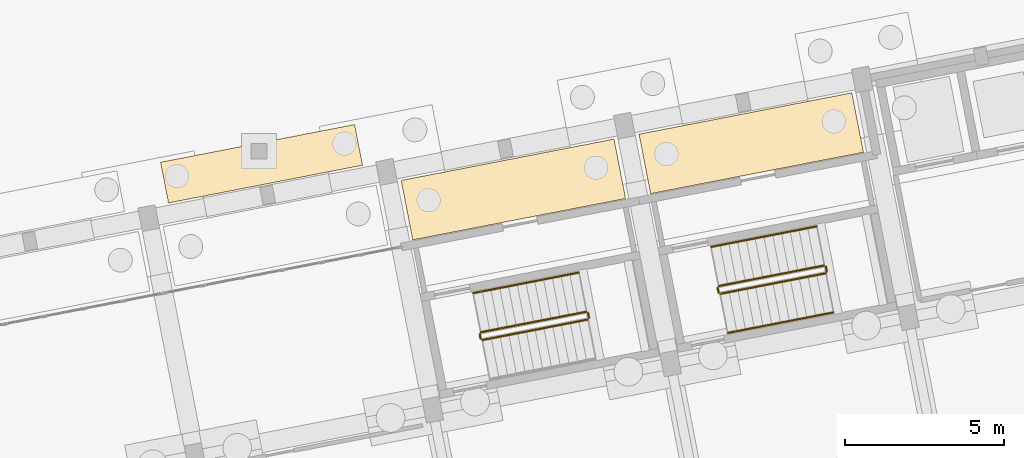
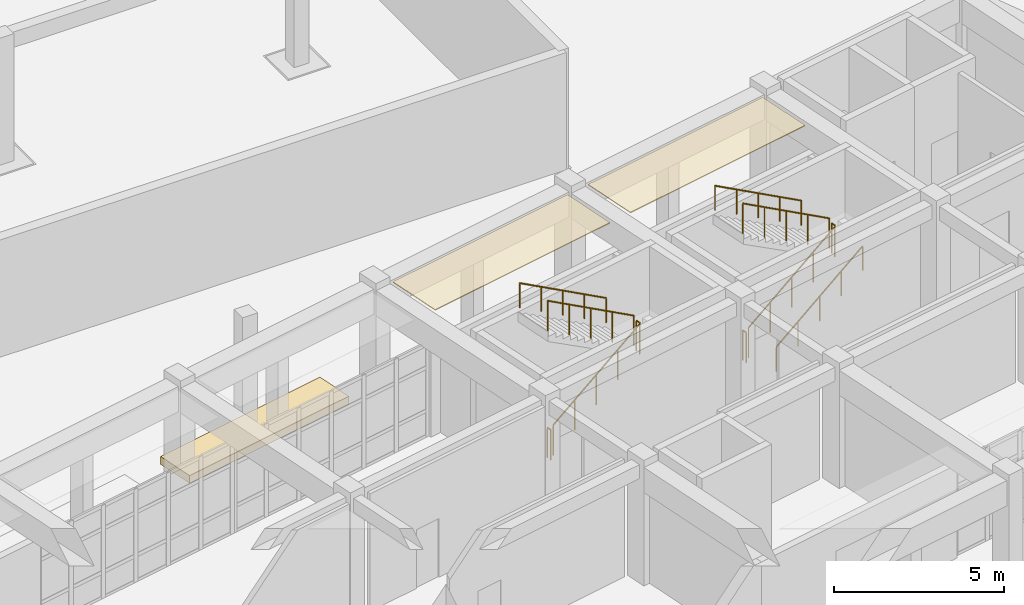
# One storey, part 150 of 154: 11 railings, 3 coverings.
"""IFC4 building model written with IfcOpenShell, lengths in metres."""

from ifc_helpers import new_model, si_unit, direction, frame, origin, origin_2d, place, context, subcontext, project, spatial, polyline, rectangle, circle, outline, extrude, material, layer, layer_set, type_object, element, save


model = new_model("IFC4")

# Units and contexts
model_context = context("Model", 3, precision=1e-05, world=origin(), true_north=direction((0.0, 1.0)))
body_context = subcontext(model_context, "Body", "Model", "MODEL_VIEW")
ifc_project = project(units=[si_unit("LENGTHUNIT", "METRE"), si_unit("AREAUNIT", "SQUARE_METRE"), si_unit("VOLUMEUNIT", "CUBIC_METRE"), si_unit("PLANEANGLEUNIT", "RADIAN"), si_unit("MASSUNIT", "GRAM", prefix="KILO")], contexts=[model_context])

# Site, building, storey
site_placement = place(None, origin())
site = spatial("IfcSite", under=ifc_project, at=site_placement, CompositionType="ELEMENT")
building_placement = place(site_placement, origin())
building = spatial("IfcBuilding", under=site, at=building_placement, Name="Kestramere Prow Commons", CompositionType="ELEMENT")
storey_placement = place(building_placement, origin())
storey = spatial("IfcBuildingStorey", under=building, at=storey_placement, Name="L00", CompositionType="ELEMENT", Elevation=0.0)

# Coverings
ifc_material_1 = material(Name="Planted Tropical Rain-Garden Soil and Foliage")
ifc_layer_1 = layer(ifc_material_1, 0.280029296875)
ifc_layer_set_1 = layer_set([ifc_layer_1], Name="Planted Tropical Rain-Garden Soil and Foliage")
covering_type_1 = type_object("IfcCoveringType", Name="COV-PLANT-STRIP", PredefinedType="USERDEFINED", material=ifc_layer_set_1)
covering_placement = place(storey_placement, origin())
element("IfcCovering", 1, at=covering_placement, inside=storey, type_object=covering_type_1, Name="Street Setback Planted Landscape Strip PLST-D-N-2", ObjectType="PLANTED STRIP", PredefinedType="USERDEFINED", context=body_context, shape_type="SweptSolid", body=[
    extrude(outline(polyline([(129.953125, 57.893310546875), (136.039306640625, 59.076416015625), (136.287353515625, 57.80029296875), (130.201171875, 56.6171875), (129.953125, 57.893310546875)])), origin(), (0.0, 0.0, 1.0), 0.280029296875),
])
ifc_material_2 = material(Name="Perforated Aluminium Colonnade Soffit Cladding", Category="aluminium")
ifc_layer_2 = layer(ifc_material_2, 0.030029296875)
ifc_layer_set_2 = layer_set([ifc_layer_2], Name="Perforated Aluminium Colonnade Soffit Cladding")
covering_type_2 = type_object("IfcCoveringType", Name="COV-SOFFIT-ALU", PredefinedType="CLADDING", material=ifc_layer_set_2)
for number, where, z_axis, x_axis, name in (
    (2, (141.01953125, 57.039306640625, 4.22021484375), (0.0, 0.0, 1.0), (0.981627183448, 0.190808995377, 0.0), "Block D North Colonnade Soffit Panel 4"),
    (3, (148.479736328125, 58.489501953125, 4.22021484375), (0.0, 0.0, 1.0), (0.981627183448, 0.190808995377, 0.0), "Block D North Colonnade Soffit Panel 5"),
):
    element("IfcCovering", number, at=place(storey_placement, frame(where, z_axis=z_axis, x_axis=x_axis)), inside=storey, type_object=covering_type_2, Name=name, PredefinedType="CLADDING", context=body_context, shape_type="SweptSolid", body=[
        extrude(rectangle(XDim=6.800048828125, YDim=1.89990234375, at=origin_2d()), origin(), (0.0, 0.0, 1.0), 0.030029296875),
    ])

# Railings
ifc_material_3 = material(Name="Galvanised Steel S275JR", Category="steel")
railing_type_1 = type_object("IfcRailingType", Name="RL-ST-GR-1100", PredefinedType="GUARDRAIL", material=ifc_material_3)
railing_1_placement = place(storey_placement, frame((140.052490234375, 52.318115234375, 0.173095703125)))
element("IfcRailing", 4, at=railing_1_placement, inside=storey, type_object=railing_type_1, Name="L00 ST-D1 stair guard 1", PredefinedType="GUARDRAIL", context=body_context, shape_type="SweptSolid", body=[
    extrude(circle(Radius=0.02392578125, at=origin_2d()), frame((0.0, 0.0, 1.076171875), z_axis=(0.834993220045, 0.162301420861, 0.525779964687), x_axis=(-0.190803535931, 0.981628244641, 0.0)), (0.0, 0.0, 1.0), 3.9501953125),
    extrude(circle(Radius=0.02099609375, at=origin_2d()), origin(), (0.0, 0.0, 1.0), 1.052001953125),
    extrude(circle(Radius=0.02099609375, at=origin_2d()), frame((0.82470703125, 0.16015625, 0.519287109375)), (0.0, 0.0, 1.0), 1.052001953125),
    extrude(circle(Radius=0.02099609375, at=origin_2d()), frame((1.649169921875, 0.320556640625, 1.03857421875)), (0.0, 0.0, 1.0), 1.052001953125),
    extrude(circle(Radius=0.02099609375, at=origin_2d()), frame((2.4736328125, 0.48095703125, 1.5576171875)), (0.0, 0.0, 1.0), 1.052001953125),
    extrude(circle(Radius=0.02099609375, at=origin_2d()), frame((3.29833984375, 0.64111328125, 2.076904296875)), (0.0, 0.0, 1.0), 1.052001953125),
])
railing_2_placement = place(storey_placement, frame((143.390380859375, 53.017822265625, 2.25)))
element("IfcRailing", 5, at=railing_2_placement, inside=storey, type_object=railing_type_1, Name="L00 ST-D1 stair guard 2", PredefinedType="GUARDRAIL", context=body_context, shape_type="SweptSolid", body=[
    extrude(circle(Radius=0.02392578125, at=origin_2d()), frame((0.0, 0.0, 1.076171875), z_axis=(-0.190477468355, 0.981691567677, 0.0), x_axis=(-0.981691567677, -0.190477468355, 0.0)), (0.0, 0.0, 1.0), 0.14990234375),
    extrude(circle(Radius=0.02099609375, at=origin_2d()), origin(), (0.0, 0.0, 1.0), 1.052001953125),
    extrude(circle(Radius=0.02099609375, at=origin_2d()), frame((-0.028564453125, 0.147216796875, 0.0)), (0.0, 0.0, 1.0), 1.052001953125),
])
railing_3_placement = place(storey_placement, frame((143.30322265625, 53.20458984375, 2.423095703125)))
element("IfcRailing", 6, at=railing_3_placement, inside=storey, type_object=railing_type_1, Name="L00 ST-D1 stair guard 3", PredefinedType="GUARDRAIL", context=body_context, shape_type="SweptSolid", body=[
    extrude(circle(Radius=0.02392578125, at=origin_2d()), frame((0.0, 0.0, 1.076171875), z_axis=(-0.834993220045, -0.162301420861, 0.525779964687), x_axis=(0.190803535931, -0.981628244641, 0.0)), (0.0, 0.0, 1.0), 3.9501953125),
    extrude(circle(Radius=0.02099609375, at=origin_2d()), origin(), (0.0, 0.0, 1.0), 1.052001953125),
    extrude(circle(Radius=0.02099609375, at=origin_2d()), frame((-0.82470703125, -0.16015625, 0.519287109375)), (0.0, 0.0, 1.0), 1.052001953125),
    extrude(circle(Radius=0.02099609375, at=origin_2d()), frame((-1.649169921875, -0.320556640625, 1.03857421875)), (0.0, 0.0, 1.0), 1.052001953125),
    extrude(circle(Radius=0.02099609375, at=origin_2d()), frame((-2.4736328125, -0.48095703125, 1.5576171875)), (0.0, 0.0, 1.0), 1.052001953125),
    extrude(circle(Radius=0.02099609375, at=origin_2d()), frame((-3.29833984375, -0.64111328125, 2.076904296875)), (0.0, 0.0, 1.0), 1.052001953125),
])
railing_4_placement = place(storey_placement, frame((139.993896484375, 52.357666015625, 0.0)))
element("IfcRailing", 7, at=railing_4_placement, inside=storey, type_object=railing_type_1, Name="L00 ST-D1 stair guard 4", PredefinedType="GUARDRAIL", context=body_context, shape_type="SweptSolid", body=[
    extrude(circle(Radius=0.02392578125, at=origin_2d()), frame((0.0, 0.0, 1.076171875), z_axis=(-0.190477468355, 0.981691567677, 0.0), x_axis=(-0.981691567677, -0.190477468355, 0.0)), (0.0, 0.0, 1.0), 0.14990234375),
    extrude(circle(Radius=0.02099609375, at=origin_2d()), origin(), (0.0, 0.0, 1.0), 1.052001953125),
    extrude(circle(Radius=0.02099609375, at=origin_2d()), frame((-0.028564453125, 0.147216796875, 0.0)), (0.0, 0.0, 1.0), 1.052001953125),
])
railing_5_placement = place(storey_placement, frame((147.512939453125, 53.768310546875, 0.173095703125)))
element("IfcRailing", 8, at=railing_5_placement, inside=storey, type_object=railing_type_1, Name="L00 ST-D2 stair guard 1", PredefinedType="GUARDRAIL", context=body_context, shape_type="SweptSolid", body=[
    extrude(circle(Radius=0.02392578125, at=origin_2d()), frame((0.0, 0.0, 1.076171875), z_axis=(0.834993220045, 0.162301420861, 0.525779964687), x_axis=(-0.190803535931, 0.981628244641, 0.0)), (0.0, 0.0, 1.0), 3.9501953125),
    extrude(circle(Radius=0.02099609375, at=origin_2d()), origin(), (0.0, 0.0, 1.0), 1.052001953125),
    extrude(circle(Radius=0.02099609375, at=origin_2d()), frame((0.82470703125, 0.16015625, 0.519287109375)), (0.0, 0.0, 1.0), 1.052001953125),
    extrude(circle(Radius=0.02099609375, at=origin_2d()), frame((1.649169921875, 0.320556640625, 1.03857421875)), (0.0, 0.0, 1.0), 1.052001953125),
    extrude(circle(Radius=0.02099609375, at=origin_2d()), frame((2.4736328125, 0.48095703125, 1.5576171875)), (0.0, 0.0, 1.0), 1.052001953125),
    extrude(circle(Radius=0.02099609375, at=origin_2d()), frame((3.29833984375, 0.64111328125, 2.076904296875)), (0.0, 0.0, 1.0), 1.052001953125),
])
railing_6_placement = place(storey_placement, frame((150.850830078125, 54.468017578125, 2.25)))
element("IfcRailing", 9, at=railing_6_placement, inside=storey, type_object=railing_type_1, Name="L00 ST-D2 stair guard 2", PredefinedType="GUARDRAIL", context=body_context, shape_type="SweptSolid", body=[
    extrude(circle(Radius=0.02392578125, at=origin_2d()), frame((0.0, 0.0, 1.076171875), z_axis=(-0.192045682404, 0.981385987199, 0.0), x_axis=(-0.981385987199, -0.192045682404, 0.0)), (0.0, 0.0, 1.0), 0.14990234375),
    extrude(circle(Radius=0.02099609375, at=origin_2d()), origin(), (0.0, 0.0, 1.0), 1.052001953125),
    extrude(circle(Radius=0.02099609375, at=origin_2d()), frame((-0.02880859375, 0.147216796875, 0.0)), (0.0, 0.0, 1.0), 1.052001953125),
])
railing_7_placement = place(storey_placement, frame((150.763427734375, 54.65478515625, 2.423095703125)))
element("IfcRailing", 10, at=railing_7_placement, inside=storey, type_object=railing_type_1, Name="L00 ST-D2 stair guard 3", PredefinedType="GUARDRAIL", context=body_context, shape_type="SweptSolid", body=[
    extrude(circle(Radius=0.02392578125, at=origin_2d()), frame((0.0, 0.0, 1.076171875), z_axis=(-0.834974504715, -0.162309797127, 0.525807099831), x_axis=(0.19081714585, -0.981625599121, 0.0)), (0.0, 0.0, 1.0), 3.949951171875),
    extrude(circle(Radius=0.02099609375, at=origin_2d()), origin(), (0.0, 0.0, 1.0), 1.052001953125),
    extrude(circle(Radius=0.02099609375, at=origin_2d()), frame((-0.824462890625, -0.16015625, 0.519287109375)), (0.0, 0.0, 1.0), 1.052001953125),
    extrude(circle(Radius=0.02099609375, at=origin_2d()), frame((-1.64892578125, -0.320556640625, 1.03857421875)), (0.0, 0.0, 1.0), 1.052001953125),
    extrude(circle(Radius=0.02099609375, at=origin_2d()), frame((-2.4736328125, -0.48095703125, 1.5576171875)), (0.0, 0.0, 1.0), 1.052001953125),
    extrude(circle(Radius=0.02099609375, at=origin_2d()), frame((-3.298095703125, -0.64111328125, 2.076904296875)), (0.0, 0.0, 1.0), 1.052001953125),
])
railing_8_placement = place(storey_placement, frame((147.454345703125, 53.807861328125, 0.0)))
element("IfcRailing", 11, at=railing_8_placement, inside=storey, type_object=railing_type_1, Name="L00 ST-D2 stair guard 4", PredefinedType="GUARDRAIL", context=body_context, shape_type="SweptSolid", body=[
    extrude(circle(Radius=0.02392578125, at=origin_2d()), frame((0.0, 0.0, 1.076171875), z_axis=(-0.190477468355, 0.981691567677, 0.0), x_axis=(-0.981691567677, -0.190477468355, 0.0)), (0.0, 0.0, 1.0), 0.14990234375),
    extrude(circle(Radius=0.02099609375, at=origin_2d()), origin(), (0.0, 0.0, 1.0), 1.052001953125),
    extrude(circle(Radius=0.02099609375, at=origin_2d()), frame((-0.028564453125, 0.147216796875, 0.0)), (0.0, 0.0, 1.0), 1.052001953125),
])
ifc_material_4 = material(Name="Stainless Steel 304", Category="steel")
railing_type_2 = type_object("IfcRailingType", Name="RL-ST-HR-900", PredefinedType="HANDRAIL", material=ifc_material_4)
railing_9_placement = place(storey_placement, frame((143.064697265625, 54.431640625, 2.59619140625)))
element("IfcRailing", 12, at=railing_9_placement, inside=storey, type_object=railing_type_2, Name="L00 ST-D1 stair handrail 2", PredefinedType="HANDRAIL", context=body_context, shape_type="SweptSolid", body=[
    extrude(circle(Radius=0.02392578125, at=origin_2d()), frame((0.0, 0.0, 0.8759765625), z_axis=(-0.834993220045, -0.162301420861, 0.525779964687), x_axis=(0.190803535931, -0.981628244641, 0.0)), (0.0, 0.0, 1.0), 3.9501953125),
    extrude(circle(Radius=0.02099609375, at=origin_2d()), origin(), (0.0, 0.0, 1.0), 0.851806640625),
    extrude(circle(Radius=0.02099609375, at=origin_2d()), frame((-0.82470703125, -0.16015625, 0.519287109375)), (0.0, 0.0, 1.0), 0.851806640625),
    extrude(circle(Radius=0.02099609375, at=origin_2d()), frame((-1.649169921875, -0.320556640625, 1.03857421875)), (0.0, 0.0, 1.0), 0.851806640625),
    extrude(circle(Radius=0.02099609375, at=origin_2d()), frame((-2.4736328125, -0.48095703125, 1.5576171875)), (0.0, 0.0, 1.0), 0.851806640625),
    extrude(circle(Radius=0.02099609375, at=origin_2d()), frame((-3.29833984375, -0.64111328125, 2.076904296875)), (0.0, 0.0, 1.0), 0.851806640625),
])
railing_10_placement = place(storey_placement, frame((147.75146484375, 52.541259765625, 0.34619140625)))
element("IfcRailing", 13, at=railing_10_placement, inside=storey, type_object=railing_type_2, Name="L00 ST-D2 stair handrail 1", PredefinedType="HANDRAIL", context=body_context, shape_type="SweptSolid", body=[
    extrude(circle(Radius=0.02392578125, at=origin_2d()), frame((0.0, 0.0, 0.8759765625), z_axis=(0.834993220045, 0.162301420861, 0.525779964687), x_axis=(-0.190803535931, 0.981628244641, 0.0)), (0.0, 0.0, 1.0), 3.9501953125),
    extrude(circle(Radius=0.02099609375, at=origin_2d()), origin(), (0.0, 0.0, 1.0), 0.851806640625),
    extrude(circle(Radius=0.02099609375, at=origin_2d()), frame((0.82470703125, 0.16015625, 0.519287109375)), (0.0, 0.0, 1.0), 0.851806640625),
    extrude(circle(Radius=0.02099609375, at=origin_2d()), frame((1.649169921875, 0.320556640625, 1.03857421875)), (0.0, 0.0, 1.0), 0.851806640625),
    extrude(circle(Radius=0.02099609375, at=origin_2d()), frame((2.4736328125, 0.48095703125, 1.5576171875)), (0.0, 0.0, 1.0), 0.851806640625),
    extrude(circle(Radius=0.02099609375, at=origin_2d()), frame((3.29833984375, 0.64111328125, 2.076904296875)), (0.0, 0.0, 1.0), 0.851806640625),
])
railing_11_placement = place(storey_placement, frame((150.52490234375, 55.8818359375, 2.59619140625)))
element("IfcRailing", 14, at=railing_11_placement, inside=storey, type_object=railing_type_2, Name="L00 ST-D2 stair handrail 2", PredefinedType="HANDRAIL", context=body_context, shape_type="SweptSolid", body=[
    extrude(circle(Radius=0.02392578125, at=origin_2d()), frame((0.0, 0.0, 0.8759765625), z_axis=(-0.834974504715, -0.162309797127, 0.525807099831), x_axis=(0.19081714585, -0.981625599121, 0.0)), (0.0, 0.0, 1.0), 3.949951171875),
    extrude(circle(Radius=0.02099609375, at=origin_2d()), origin(), (0.0, 0.0, 1.0), 0.851806640625),
    extrude(circle(Radius=0.02099609375, at=origin_2d()), frame((-0.824462890625, -0.16015625, 0.519287109375)), (0.0, 0.0, 1.0), 0.851806640625),
    extrude(circle(Radius=0.02099609375, at=origin_2d()), frame((-1.64892578125, -0.320556640625, 1.03857421875)), (0.0, 0.0, 1.0), 0.851806640625),
    extrude(circle(Radius=0.02099609375, at=origin_2d()), frame((-2.4736328125, -0.48095703125, 1.5576171875)), (0.0, 0.0, 1.0), 0.851806640625),
    extrude(circle(Radius=0.02099609375, at=origin_2d()), frame((-3.298095703125, -0.64111328125, 2.076904296875)), (0.0, 0.0, 1.0), 0.851806640625),
])

save(model, "model.ifc")
